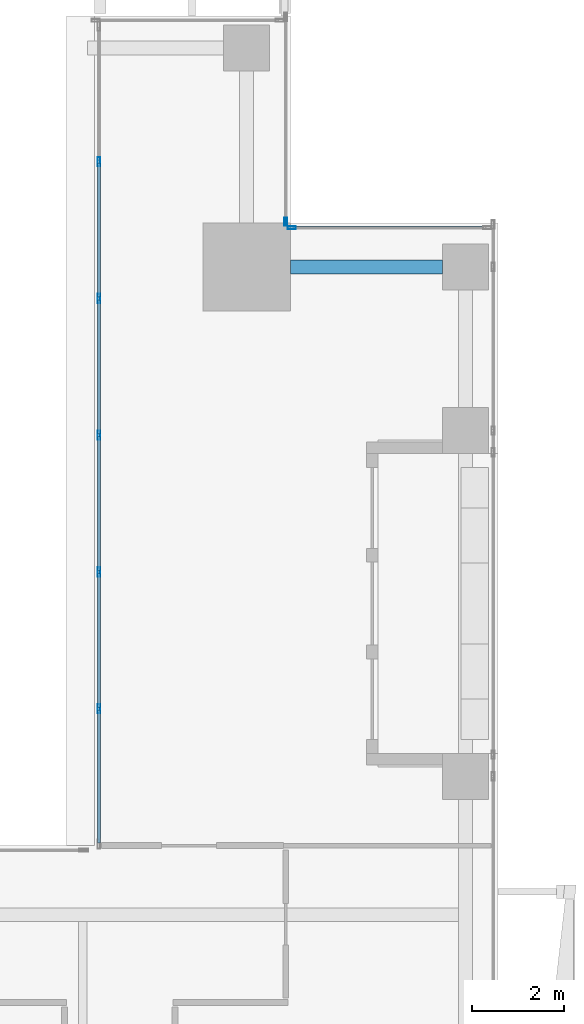
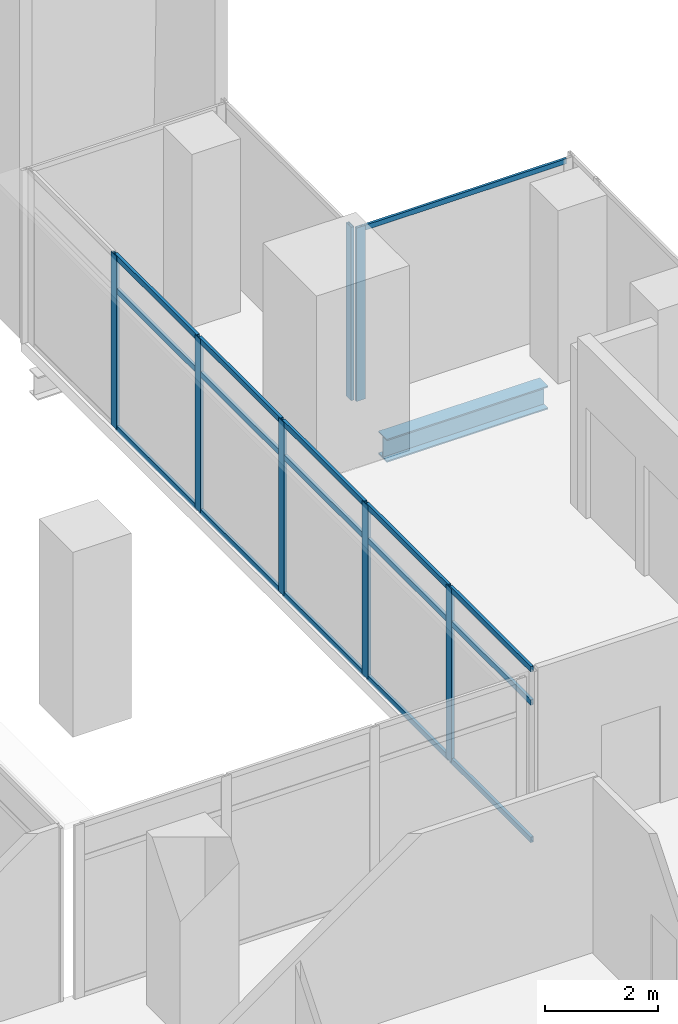
# One storey, part 23 of 40: 23 members, 1 beam, 3 elements without a shape of their own.
"""IFC4 building model written with IfcOpenShell, lengths in metres."""

from ifc_helpers import new_model, si_unit, direction, frame, origin, origin_2d, place, context, subcontext, project, spatial, hollow_rectangle, i_section, extrude, source, transform, mapped, material, material_profile, profile_set, type_object, element, aggregate, save


model = new_model("IFC4")

# Units and contexts
model_context = context("Model", 3, precision=1e-05, world=origin(), true_north=direction((0.0, 1.0)))
body_context = subcontext(model_context, "Body", "Model", "MODEL_VIEW")
ifc_project = project(units=[si_unit("LENGTHUNIT", "METRE"), si_unit("AREAUNIT", "SQUARE_METRE"), si_unit("VOLUMEUNIT", "CUBIC_METRE"), si_unit("PLANEANGLEUNIT", "RADIAN"), si_unit("MASSUNIT", "GRAM", prefix="KILO")], contexts=[model_context])

# Site, building, storey
site_placement = place(None, origin())
site = spatial("IfcSite", under=ifc_project, at=site_placement, CompositionType="ELEMENT")
building_placement = place(site_placement, origin())
building = spatial("IfcBuilding", under=site, at=building_placement, Name="Khomas Fold Tower", CompositionType="ELEMENT")
storey_placement = place(building_placement, frame((0.0, 0.0, 176.699951171875)))
storey = spatial("IfcBuildingStorey", under=building, at=storey_placement, Name="L38", CompositionType="ELEMENT", Elevation=176.699951171875)

# Beam
ifc_material_1 = material(Name="Steel S355", Category="steel")
ifc_material_profile_1 = material_profile(ifc_material_1, i_section(OverallWidth=0.300048828125, OverallDepth=0.5, WebThickness=0.014404296875, FlangeThickness=0.028076171875, at=origin_2d()), Name="HE 500 B")
ifc_profile_set_1 = profile_set([ifc_material_profile_1], Name="Steel S355")
beam_type = type_object("IfcBeamType", Name="HE 500 B spandrel SB3", PredefinedType="SPANDREL", material=ifc_profile_set_1)
shared_shape_1 = source(origin(), body_context, "Body", "SweptSolid", [
    extrude(i_section(OverallWidth=0.300048828125, OverallDepth=0.5, WebThickness=0.014404296875, FlangeThickness=0.028076171875, at=origin_2d()), origin(), (0.0, 0.0, 1.0), 3.300048828125),
])
beam_placement = place(storey_placement, frame((46.5, 45.550048828125, -0.5), z_axis=(1.0, 0.0, 0.0), x_axis=(0.0, 1.0, 0.0)))
element("IfcBeam", 1, at=beam_placement, inside=storey, type_object=beam_type, Name="SB3", PredefinedType="SPANDREL", context=body_context, shape_type="MappedRepresentation", body=[
    mapped(shared_shape_1, transform((0.0, 0.0, 0.0))),
])

# Curtain wall, member
ifc_material_2 = material(Name="Aluminium framed double glazing", Category="aluminium")
curtain_wall_type_1 = type_object("IfcCurtainWallType", Name="SK-Unitised clear-glass wall, office floors CW2", PredefinedType="NOTDEFINED", material=ifc_material_2)
curtain_wall_1_placement = place(storey_placement, origin())
curtain_wall_1 = element("IfcCurtainWall", 2, at=curtain_wall_1_placement, inside=storey, type_object=curtain_wall_type_1, Name="CW2 corner return L38 09", PredefinedType="NOTDEFINED")
ifc_material_3 = material(Name="Aluminium", Category="aluminium")
ifc_material_profile_2 = material_profile(ifc_material_3, hollow_rectangle(XDim=0.06005859375, YDim=0.179931640625, WallThickness=0.00390625, at=origin_2d()), Name="SK-Unitised clear-glass wall, office floors mullion CW2-M")
ifc_profile_set_2 = profile_set([ifc_material_profile_2], Name="Aluminium")
member_type_1 = type_object("IfcMemberType", Name="SK-Unitised clear-glass wall, office floors mullion CW2-M", PredefinedType="MULLION", material=ifc_profile_set_2)
shared_shape_2 = source(origin(), body_context, "Body", "SweptSolid", [
    extrude(hollow_rectangle(XDim=0.06005859375, YDim=0.179931640625, WallThickness=0.00390625, at=origin_2d()), origin(), (0.0, 0.0, 1.0), 3.75),
])
member_1_placement = place(storey_placement, frame((46.530029296875, 46.39990234375, 0.0), z_axis=(0.0, 0.0, 1.0), x_axis=(0.0, -1.0, 0.0)))
member_1 = element("IfcMember", 3, at=member_1_placement, type_object=member_type_1, Name="CW2 mullion 2", PredefinedType="MULLION", context=body_context, shape_type="MappedRepresentation", body=[
    mapped(shared_shape_2, transform((0.0, 0.0, 0.0))),
])

curtain_wall_2_placement = place(storey_placement, origin())
curtain_wall_2 = element("IfcCurtainWall", 4, at=curtain_wall_2_placement, inside=storey, type_object=curtain_wall_type_1, Name="CW2 corner return L38 10", PredefinedType="NOTDEFINED")
member_2_placement = place(storey_placement, frame((46.39990234375, 46.530029296875, 0.0), z_axis=(0.0, 0.0, 1.0), x_axis=(-1.0, 0.0, 0.0)))
member_2 = element("IfcMember", 5, at=member_2_placement, type_object=member_type_1, Name="CW2 mullion 1", PredefinedType="MULLION", context=body_context, shape_type="MappedRepresentation", body=[
    mapped(shared_shape_2, transform((0.0, 0.0, 0.0))),
])
aggregate(curtain_wall_2, [member_2])

# Member
ifc_material_4 = material(Name="Aluminium", Category="aluminium")
ifc_material_profile_3 = material_profile(ifc_material_4, hollow_rectangle(XDim=0.050048828125, YDim=0.110107421875, WallThickness=0.00390625, at=origin_2d()), Name="SK-Unitised clear-glass wall, office floors transom CW2-T")
ifc_profile_set_3 = profile_set([ifc_material_profile_3], Name="Aluminium")
member_type_2 = type_object("IfcMemberType", Name="SK-Unitised clear-glass wall, office floors transom CW2-T", PredefinedType="USERDEFINED", material=ifc_profile_set_3)
shared_shape_3 = source(origin(), body_context, "Body", "SweptSolid", [
    extrude(hollow_rectangle(XDim=0.050048828125, YDim=0.110107421875, WallThickness=0.00390625, at=origin_2d()), origin(), (0.0, 0.0, 1.0), 4.179931640625),
])
member_3_placement = place(storey_placement, frame((50.739990234375, 46.39990234375, 3.695068359375), z_axis=(-1.0, 0.0, 0.0), x_axis=(0.0, -1.0, 0.0)))
member_3 = element("IfcMember", 6, at=member_3_placement, type_object=member_type_2, Name="CW2 transom 1", ObjectType="TRANSOM", PredefinedType="USERDEFINED", context=body_context, shape_type="MappedRepresentation", body=[
    mapped(shared_shape_3, transform((0.0, 0.0, 0.0))),
])

aggregate(curtain_wall_1, [member_1, member_3])

# Curtain wall, members
ifc_material_5 = material(Name="Aluminium framed double glazing", Category="aluminium")
curtain_wall_type_2 = type_object("IfcCurtainWallType", Name="Notch glazing GN-CW", PredefinedType="NOTDEFINED", material=ifc_material_5)
curtain_wall_3_placement = place(storey_placement, origin())
curtain_wall_3 = element("IfcCurtainWall", 7, at=curtain_wall_3_placement, inside=storey, type_object=curtain_wall_type_2, Name="Notch glazing run", PredefinedType="NOTDEFINED")
ifc_material_6 = material(Name="Aluminium", Category="aluminium")
ifc_material_profile_4 = material_profile(ifc_material_6, hollow_rectangle(XDim=0.06005859375, YDim=0.1201171875, WallThickness=0.00390625, at=origin_2d()), Name="Notch glazing transom GN-CW-T")
ifc_profile_set_4 = profile_set([ifc_material_profile_4], Name="Aluminium")
member_type_3 = type_object("IfcMemberType", Name="Notch glazing transom GN-CW-T", PredefinedType="USERDEFINED", material=ifc_profile_set_4)
shared_shape_4 = source(origin(), body_context, "Body", "SweptSolid", [
    extrude(hollow_rectangle(XDim=0.06005859375, YDim=0.1201171875, WallThickness=0.00390625, at=origin_2d()), origin(), (0.0, 0.0, 1.0), 2.876708984375),
])
member_4_placement = place(storey_placement, frame((42.35009765625, 35.936767578125, 0.030029296875), z_axis=(0.0, -1.0, 0.0), x_axis=(1.0, 0.0, 0.0)))
member_4 = element("IfcMember", 8, at=member_4_placement, type_object=member_type_3, Name="GN-CW transom 6.1", ObjectType="TRANSOM", PredefinedType="USERDEFINED", context=body_context, shape_type="MappedRepresentation", body=[
    mapped(shared_shape_4, transform((0.0, 0.0, 0.0))),
])
member_5_placement = place(storey_placement, frame((42.35009765625, 35.936767578125, 3.0), z_axis=(0.0, -1.0, 0.0), x_axis=(1.0, 0.0, 0.0)))
member_5 = element("IfcMember", 9, at=member_5_placement, type_object=member_type_3, Name="GN-CW transom 6.2", ObjectType="TRANSOM", PredefinedType="USERDEFINED", context=body_context, shape_type="MappedRepresentation", body=[
    mapped(shared_shape_4, transform((0.0, 0.0, 0.0))),
])
member_6_placement = place(storey_placement, frame((42.35009765625, 35.936767578125, 3.719970703125), z_axis=(0.0, -1.0, 0.0), x_axis=(1.0, 0.0, 0.0)))
member_6 = element("IfcMember", 10, at=member_6_placement, type_object=member_type_3, Name="GN-CW transom 6.3", ObjectType="TRANSOM", PredefinedType="USERDEFINED", context=body_context, shape_type="MappedRepresentation", body=[
    mapped(shared_shape_4, transform((0.0, 0.0, 0.0))),
])
shared_shape_5 = source(origin(), body_context, "Body", "SweptSolid", [
    extrude(hollow_rectangle(XDim=0.06005859375, YDim=0.1201171875, WallThickness=0.00390625, at=origin_2d()), origin(), (0.0, 0.0, 1.0), 2.90673828125),
])
member_7_placement = place(storey_placement, frame((42.35009765625, 44.836669921875, 0.030029296875), z_axis=(0.0, -1.0, 0.0), x_axis=(1.0, 0.0, 0.0)))
member_7 = element("IfcMember", 11, at=member_7_placement, type_object=member_type_3, Name="GN-CW transom 3.1", ObjectType="TRANSOM", PredefinedType="USERDEFINED", context=body_context, shape_type="MappedRepresentation", body=[
    mapped(shared_shape_5, transform((0.0, 0.0, 0.0))),
])
member_8_placement = place(storey_placement, frame((42.35009765625, 44.836669921875, 3.0), z_axis=(0.0, -1.0, 0.0), x_axis=(1.0, 0.0, 0.0)))
member_8 = element("IfcMember", 12, at=member_8_placement, type_object=member_type_3, Name="GN-CW transom 3.2", ObjectType="TRANSOM", PredefinedType="USERDEFINED", context=body_context, shape_type="MappedRepresentation", body=[
    mapped(shared_shape_5, transform((0.0, 0.0, 0.0))),
])
member_9_placement = place(storey_placement, frame((42.35009765625, 44.836669921875, 3.719970703125), z_axis=(0.0, -1.0, 0.0), x_axis=(1.0, 0.0, 0.0)))
member_9 = element("IfcMember", 13, at=member_9_placement, type_object=member_type_3, Name="GN-CW transom 3.3", ObjectType="TRANSOM", PredefinedType="USERDEFINED", context=body_context, shape_type="MappedRepresentation", body=[
    mapped(shared_shape_5, transform((0.0, 0.0, 0.0))),
])
member_10_placement = place(storey_placement, frame((42.35009765625, 41.8701171875, 0.030029296875), z_axis=(0.0, -1.0, 0.0), x_axis=(1.0, 0.0, 0.0)))
member_10 = element("IfcMember", 14, at=member_10_placement, type_object=member_type_3, Name="GN-CW transom 4.1", ObjectType="TRANSOM", PredefinedType="USERDEFINED", context=body_context, shape_type="MappedRepresentation", body=[
    mapped(shared_shape_5, transform((0.0, 0.0, 0.0))),
])
member_11_placement = place(storey_placement, frame((42.35009765625, 41.8701171875, 3.0), z_axis=(0.0, -1.0, 0.0), x_axis=(1.0, 0.0, 0.0)))
member_11 = element("IfcMember", 15, at=member_11_placement, type_object=member_type_3, Name="GN-CW transom 4.2", ObjectType="TRANSOM", PredefinedType="USERDEFINED", context=body_context, shape_type="MappedRepresentation", body=[
    mapped(shared_shape_5, transform((0.0, 0.0, 0.0))),
])
member_12_placement = place(storey_placement, frame((42.35009765625, 41.8701171875, 3.719970703125), z_axis=(0.0, -1.0, 0.0), x_axis=(1.0, 0.0, 0.0)))
member_12 = element("IfcMember", 16, at=member_12_placement, type_object=member_type_3, Name="GN-CW transom 4.3", ObjectType="TRANSOM", PredefinedType="USERDEFINED", context=body_context, shape_type="MappedRepresentation", body=[
    mapped(shared_shape_5, transform((0.0, 0.0, 0.0))),
])
member_13_placement = place(storey_placement, frame((42.35009765625, 38.9033203125, 0.030029296875), z_axis=(0.0, -1.0, 0.0), x_axis=(1.0, 0.0, 0.0)))
member_13 = element("IfcMember", 17, at=member_13_placement, type_object=member_type_3, Name="GN-CW transom 5.1", ObjectType="TRANSOM", PredefinedType="USERDEFINED", context=body_context, shape_type="MappedRepresentation", body=[
    mapped(shared_shape_5, transform((0.0, 0.0, 0.0))),
])
member_14_placement = place(storey_placement, frame((42.35009765625, 38.9033203125, 3.0), z_axis=(0.0, -1.0, 0.0), x_axis=(1.0, 0.0, 0.0)))
member_14 = element("IfcMember", 18, at=member_14_placement, type_object=member_type_3, Name="GN-CW transom 5.2", ObjectType="TRANSOM", PredefinedType="USERDEFINED", context=body_context, shape_type="MappedRepresentation", body=[
    mapped(shared_shape_5, transform((0.0, 0.0, 0.0))),
])
member_15_placement = place(storey_placement, frame((42.35009765625, 38.9033203125, 3.719970703125), z_axis=(0.0, -1.0, 0.0), x_axis=(1.0, 0.0, 0.0)))
member_15 = element("IfcMember", 19, at=member_15_placement, type_object=member_type_3, Name="GN-CW transom 5.3", ObjectType="TRANSOM", PredefinedType="USERDEFINED", context=body_context, shape_type="MappedRepresentation", body=[
    mapped(shared_shape_5, transform((0.0, 0.0, 0.0))),
])
shared_shape_6 = source(origin(), body_context, "Body", "SweptSolid", [
    extrude(hollow_rectangle(XDim=0.06005859375, YDim=0.1201171875, WallThickness=0.00390625, at=origin_2d()), origin(), (0.0, 0.0, 1.0), 2.906494140625),
])
member_16_placement = place(storey_placement, frame((42.35009765625, 47.80322265625, 0.030029296875), z_axis=(0.0, -1.0, 0.0), x_axis=(1.0, 0.0, 0.0)))
member_16 = element("IfcMember", 20, at=member_16_placement, type_object=member_type_3, Name="GN-CW transom 2.1", ObjectType="TRANSOM", PredefinedType="USERDEFINED", context=body_context, shape_type="MappedRepresentation", body=[
    mapped(shared_shape_6, transform((0.0, 0.0, 0.0))),
])
member_17_placement = place(storey_placement, frame((42.35009765625, 47.80322265625, 3.0), z_axis=(0.0, -1.0, 0.0), x_axis=(1.0, 0.0, 0.0)))
member_17 = element("IfcMember", 21, at=member_17_placement, type_object=member_type_3, Name="GN-CW transom 2.2", ObjectType="TRANSOM", PredefinedType="USERDEFINED", context=body_context, shape_type="MappedRepresentation", body=[
    mapped(shared_shape_6, transform((0.0, 0.0, 0.0))),
])
member_18_placement = place(storey_placement, frame((42.35009765625, 47.80322265625, 3.719970703125), z_axis=(0.0, -1.0, 0.0), x_axis=(1.0, 0.0, 0.0)))
member_18 = element("IfcMember", 22, at=member_18_placement, type_object=member_type_3, Name="GN-CW transom 2.3", ObjectType="TRANSOM", PredefinedType="USERDEFINED", context=body_context, shape_type="MappedRepresentation", body=[
    mapped(shared_shape_6, transform((0.0, 0.0, 0.0))),
])
ifc_material_7 = material(Name="Aluminium", Category="aluminium")
ifc_material_profile_5 = material_profile(ifc_material_7, hollow_rectangle(XDim=0.06005859375, YDim=0.199951171875, WallThickness=0.00390625, at=origin_2d()), Name="Notch glazing mullion GN-CW-M")
ifc_profile_set_5 = profile_set([ifc_material_profile_5], Name="Aluminium")
member_type_4 = type_object("IfcMemberType", Name="Notch glazing mullion GN-CW-M", PredefinedType="MULLION", material=ifc_profile_set_5)
shared_shape_7 = source(origin(), body_context, "Body", "SweptSolid", [
    extrude(hollow_rectangle(XDim=0.06005859375, YDim=0.199951171875, WallThickness=0.00390625, at=origin_2d()), origin(), (0.0, 0.0, 1.0), 3.75),
])
member_19_placement = place(storey_placement, frame((42.35009765625, 47.833251953125, 0.0), z_axis=(0.0, 0.0, 1.0), x_axis=(1.0, 0.0, 0.0)))
member_19 = element("IfcMember", 23, at=member_19_placement, type_object=member_type_4, Name="GN-CW mullion 2", PredefinedType="MULLION", context=body_context, shape_type="MappedRepresentation", body=[
    mapped(shared_shape_7, transform((0.0, 0.0, 0.0))),
])
member_20_placement = place(storey_placement, frame((42.35009765625, 44.86669921875, 0.0), z_axis=(0.0, 0.0, 1.0), x_axis=(1.0, 0.0, 0.0)))
member_20 = element("IfcMember", 24, at=member_20_placement, type_object=member_type_4, Name="GN-CW mullion 3", PredefinedType="MULLION", context=body_context, shape_type="MappedRepresentation", body=[
    mapped(shared_shape_7, transform((0.0, 0.0, 0.0))),
])
member_21_placement = place(storey_placement, frame((42.35009765625, 41.89990234375, 0.0), z_axis=(0.0, 0.0, 1.0), x_axis=(1.0, 0.0, 0.0)))
member_21 = element("IfcMember", 25, at=member_21_placement, type_object=member_type_4, Name="GN-CW mullion 4", PredefinedType="MULLION", context=body_context, shape_type="MappedRepresentation", body=[
    mapped(shared_shape_7, transform((0.0, 0.0, 0.0))),
])
member_22_placement = place(storey_placement, frame((42.35009765625, 38.933349609375, 0.0), z_axis=(0.0, 0.0, 1.0), x_axis=(1.0, 0.0, 0.0)))
member_22 = element("IfcMember", 26, at=member_22_placement, type_object=member_type_4, Name="GN-CW mullion 5", PredefinedType="MULLION", context=body_context, shape_type="MappedRepresentation", body=[
    mapped(shared_shape_7, transform((0.0, 0.0, 0.0))),
])
member_23_placement = place(storey_placement, frame((42.35009765625, 35.966552734375, 0.0), z_axis=(0.0, 0.0, 1.0), x_axis=(1.0, 0.0, 0.0)))
member_23 = element("IfcMember", 27, at=member_23_placement, type_object=member_type_4, Name="GN-CW mullion 6", PredefinedType="MULLION", context=body_context, shape_type="MappedRepresentation", body=[
    mapped(shared_shape_7, transform((0.0, 0.0, 0.0))),
])
aggregate(curtain_wall_3, [member_19, member_20, member_21, member_22, member_23, member_16, member_17, member_18, member_7, member_8, member_9, member_10, member_11, member_12, member_13, member_14, member_15, member_4, member_5, member_6])

save(model, "model.ifc")
